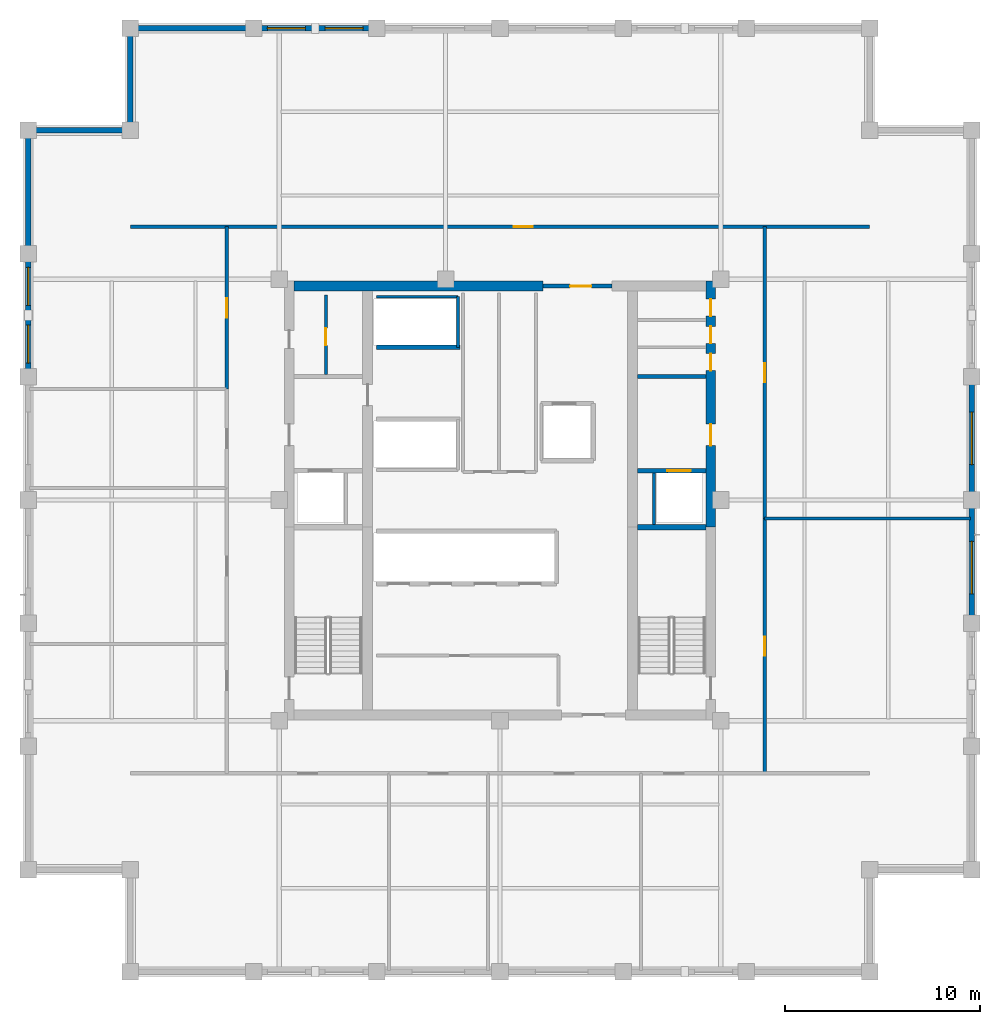
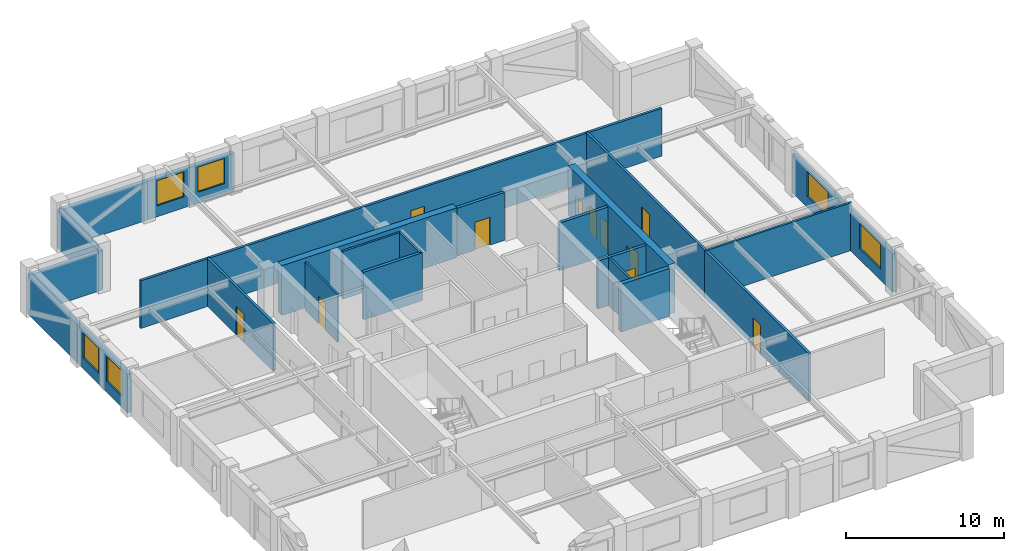
# One storey, part 7 of 9: 24 walls, 11 doors, 6 windows, 17 openings.
"""IFC4 building model written with IfcOpenShell, lengths in metres."""

from ifc_helpers import new_model, si_unit, direction, frame, frame_2d, origin, place, context, subcontext, project, spatial, rectangle, extrude, material, layer, layer_set, type_object, element, fill, save


model = new_model("IFC4")

# Units and contexts
model_context = context("Model", 3, precision=1e-05, world=origin(), true_north=direction((0.0, 1.0)))
body_context = subcontext(model_context, "Body", "Model", "MODEL_VIEW")
ifc_project = project(units=[si_unit("LENGTHUNIT", "METRE"), si_unit("AREAUNIT", "SQUARE_METRE"), si_unit("VOLUMEUNIT", "CUBIC_METRE"), si_unit("PLANEANGLEUNIT", "RADIAN"), si_unit("MASSUNIT", "GRAM", prefix="KILO")], contexts=[model_context])

# Site, building, storey
site_placement = place(None, origin())
site = spatial("IfcSite", under=ifc_project, at=site_placement, CompositionType="ELEMENT")
building_placement = place(site_placement, origin())
building = spatial("IfcBuilding", under=site, at=building_placement, Name="Nhamokura Convention Tower", CompositionType="ELEMENT")
storey_placement = place(building_placement, frame((0.0, 0.0, 229.25)))
storey = spatial("IfcBuildingStorey", under=building, at=storey_placement, Name="L56", CompositionType="ELEMENT", Elevation=229.25)

# Wall, opening, door
ifc_material_1 = material(Name="Moisture-resistant tile-backer partition", Category="masonry")
ifc_layer_1 = layer(ifc_material_1, 0.139892578125)
ifc_layer_set_1 = layer_set([ifc_layer_1], Name="BathroomWetWall_140")
wall_type_1 = type_object("IfcWallType", Name="BathroomWetWall_140", PredefinedType="STANDARD", material=ifc_layer_set_1)
wall_1_placement = place(storey_placement, frame((23.050048828125, 38.449951171875, 0.0), z_axis=(0.0, 0.0, 1.0), x_axis=(0.0, 1.0, 0.0)))
wall_1 = element("IfcWall", 1, at=wall_1_placement, inside=storey, type_object=wall_type_1, Name="L56 Wall INT-L56-CWNWV", PredefinedType="STANDARD", context=body_context, shape_type="SweptSolid", body=[
    extrude(rectangle(XDim=4.10009765625, YDim=0.139892578125, at=frame_2d((2.050048828125, 0.0))), origin(), (0.0, 0.0, 1.0), 3.68505859375),
])
opening_1_placement = place(wall_1_placement, frame((1.5, 0.0, 0.0)))
opening_1 = element("IfcOpeningElement", 2, at=opening_1_placement, cuts=wall_1, Name="Opening D-11", PredefinedType="OPENING", context=body_context, shape_type="SweptSolid", body=[
    extrude(rectangle(XDim=0.8798828125, YDim=2.10009765625, at=frame_2d((0.43994140625, 1.050048828125))), frame((0.0, 0.079833984375, 0.0), z_axis=(0.0, -1.0, 0.0), x_axis=(1.0, 0.0, 0.0)), (0.0, 0.0, 1.0), 0.159912109375),
])
ifc_material_2 = material(Name="Solid oak hardwood", Category="wood")
door_type_1 = type_object("IfcDoorType", Name="BathroomDoor_880", OperationType="NOTDEFINED", PredefinedType="DOOR", material=ifc_material_2)
door_1_placement = place(opening_1_placement, origin())
door_1 = element("IfcDoor", 3, at=door_1_placement, inside=storey, type_object=door_type_1, Name="L56 Inner Store Door", OperationType="SINGLE_SWING_LEFT", OverallHeight=2.10009765625, OverallWidth=0.8798828125, PredefinedType="DOOR", context=body_context, shape_type="SweptSolid", body=[
    extrude(rectangle(XDim=0.8798828125, YDim=2.10009765625, at=frame_2d((0.43994140625, 1.050048828125))), frame((0.0, 0.02490234375, 0.0), z_axis=(0.0, -1.0, 0.0), x_axis=(1.0, 0.0, 0.0)), (0.0, 0.0, 1.0), 0.050048828125),
])
fill(opening_1, door_1)

# Wall
ifc_material_3 = material(Name="Bronze-pigmented precast concrete C45/55", Category="concrete")
ifc_layer_2 = layer(ifc_material_3, 0.280029296875)
ifc_layer_set_2 = layer_set([ifc_layer_2], Name="BronzePrecastSpandrel_280")
wall_type_2 = type_object("IfcWallType", Name="BronzePrecastSpandrel_280", PredefinedType="USERDEFINED", material=ifc_layer_set_2)
wall_2_placement = place(storey_placement, frame((13.0, 56.25, 0.0), z_axis=(0.0, 0.0, 1.0), x_axis=(1.0, 0.0, 0.0)))
element("IfcWall", 4, at=wall_2_placement, inside=storey, type_object=wall_type_2, Name="L56 Braced-Bay Precast Wall NORTH 0", ObjectType="SPANDREL_WALL", PredefinedType="USERDEFINED", context=body_context, shape_type="SweptSolid", body=[
    extrude(rectangle(XDim=6.333251953125, YDim=0.280029296875, at=frame_2d((3.16650390625, 0.0))), origin(), (0.0, 0.0, 1.0), 2.985107421875),
])

# Wall, openings, windows
wall_3_placement = place(storey_placement, frame((19.333251953125, 56.25, 0.0), z_axis=(0.0, 0.0, 1.0), x_axis=(1.0, 0.0, 0.0)))
wall_3 = element("IfcWall", 5, at=wall_3_placement, inside=storey, type_object=wall_type_2, Name="L56 Masonry-Frame Wall NORTH 1", ObjectType="SPANDREL_WALL", PredefinedType="USERDEFINED", context=body_context, shape_type="SweptSolid", body=[
    extrude(rectangle(XDim=6.33349609375, YDim=0.280029296875, at=frame_2d((3.166748046875, 0.0))), origin(), (0.0, 0.0, 1.0), 2.985107421875),
])
opening_2_placement = place(wall_3_placement, frame((0.708251953125, 0.0, 0.85009765625)))
opening_2 = element("IfcOpeningElement", 6, at=opening_2_placement, cuts=wall_3, Name="Opening W-08", PredefinedType="OPENING", context=body_context, shape_type="SweptSolid", body=[
    extrude(rectangle(XDim=1.949951171875, YDim=1.93505859375, at=frame_2d((0.97509765625, 0.967529296875))), frame((0.0, 0.14990234375, 0.0), z_axis=(0.0, -1.0, 0.0), x_axis=(1.0, 0.0, 0.0)), (0.0, 0.0, 1.0), 0.300048828125),
])
opening_3_placement = place(wall_3_placement, frame((3.675048828125, 0.0, 0.85009765625)))
opening_3 = element("IfcOpeningElement", 7, at=opening_3_placement, cuts=wall_3, Name="Opening W-08", PredefinedType="OPENING", context=body_context, shape_type="SweptSolid", body=[
    extrude(rectangle(XDim=1.949951171875, YDim=1.93505859375, at=frame_2d((0.97509765625, 0.967529296875))), frame((0.0, 0.14990234375, 0.0), z_axis=(0.0, -1.0, 0.0), x_axis=(1.0, 0.0, 0.0)), (0.0, 0.0, 1.0), 0.300048828125),
])
ifc_material_4 = material(Name="Solar-control bronze low-E double glass", Category="glass")
window_type_1 = type_object("IfcWindowType", Name="OfficeModuleWindow_Z3_1950", PartitioningType="SINGLE_PANEL", PredefinedType="WINDOW", material=ifc_material_4)
window_1_placement = place(opening_2_placement, origin())
window_1 = element("IfcWindow", 8, at=window_1_placement, inside=storey, type_object=window_type_1, Name="L56 Facade Window NORTH 1-1", OverallHeight=1.93505859375, OverallWidth=1.949951171875, PartitioningType="SINGLE_PANEL", PredefinedType="WINDOW", context=body_context, shape_type="SweptSolid", body=[
    extrude(rectangle(XDim=1.949951171875, YDim=1.93505859375, at=frame_2d((0.97509765625, 0.967529296875))), frame((0.0, 0.030029296875, 0.0), z_axis=(0.0, -1.0, 0.0), x_axis=(1.0, 0.0, 0.0)), (0.0, 0.0, 1.0), 0.06005859375),
])
fill(opening_2, window_1)
window_2_placement = place(opening_3_placement, origin())
window_2 = element("IfcWindow", 9, at=window_2_placement, inside=storey, type_object=window_type_1, Name="L56 Facade Window NORTH 1-2", OverallHeight=1.93505859375, OverallWidth=1.949951171875, PartitioningType="SINGLE_PANEL", PredefinedType="WINDOW", context=body_context, shape_type="SweptSolid", body=[
    extrude(rectangle(XDim=1.949951171875, YDim=1.93505859375, at=frame_2d((0.97509765625, 0.967529296875))), frame((0.0, 0.030029296875, 0.0), z_axis=(0.0, -1.0, 0.0), x_axis=(1.0, 0.0, 0.0)), (0.0, 0.0, 1.0), 0.06005859375),
])
fill(opening_3, window_2)

wall_4_placement = place(storey_placement, frame((7.75, 38.333251953125, 0.0), z_axis=(0.0, 0.0, 1.0), x_axis=(0.0, 1.0, 0.0)))
wall_4 = element("IfcWall", 10, at=wall_4_placement, inside=storey, type_object=wall_type_2, Name="L56 Masonry-Frame Wall WEST 4", ObjectType="SPANDREL_WALL", PredefinedType="USERDEFINED", context=body_context, shape_type="SweptSolid", body=[
    extrude(rectangle(XDim=6.33349609375, YDim=0.280029296875, at=frame_2d((3.166748046875, 0.0))), origin(), (0.0, 0.0, 1.0), 2.985107421875),
])
opening_4_placement = place(wall_4_placement, frame((0.708251953125, 0.0, 0.85009765625)))
opening_4 = element("IfcOpeningElement", 11, at=opening_4_placement, cuts=wall_4, Name="Opening W-08", PredefinedType="OPENING", context=body_context, shape_type="SweptSolid", body=[
    extrude(rectangle(XDim=1.949951171875, YDim=1.93505859375, at=frame_2d((0.97509765625, 0.967529296875))), frame((0.0, 0.14990234375, 0.0), z_axis=(0.0, -1.0, 0.0), x_axis=(1.0, 0.0, 0.0)), (0.0, 0.0, 1.0), 0.300048828125),
])
opening_5_placement = place(wall_4_placement, frame((3.675048828125, 0.0, 0.85009765625)))
opening_5 = element("IfcOpeningElement", 12, at=opening_5_placement, cuts=wall_4, Name="Opening W-08", PredefinedType="OPENING", context=body_context, shape_type="SweptSolid", body=[
    extrude(rectangle(XDim=1.949951171875, YDim=1.93505859375, at=frame_2d((0.97509765625, 0.967529296875))), frame((0.0, 0.14990234375, 0.0), z_axis=(0.0, -1.0, 0.0), x_axis=(1.0, 0.0, 0.0)), (0.0, 0.0, 1.0), 0.300048828125),
])
window_3_placement = place(opening_4_placement, origin())
window_3 = element("IfcWindow", 13, at=window_3_placement, inside=storey, type_object=window_type_1, Name="L56 Facade Window WEST 4-1", OverallHeight=1.93505859375, OverallWidth=1.949951171875, PartitioningType="SINGLE_PANEL", PredefinedType="WINDOW", context=body_context, shape_type="SweptSolid", body=[
    extrude(rectangle(XDim=1.949951171875, YDim=1.93505859375, at=frame_2d((0.97509765625, 0.967529296875))), frame((0.0, 0.030029296875, 0.0), z_axis=(0.0, -1.0, 0.0), x_axis=(1.0, 0.0, 0.0)), (0.0, 0.0, 1.0), 0.06005859375),
])
fill(opening_4, window_3)
window_4_placement = place(opening_5_placement, origin())
window_4 = element("IfcWindow", 14, at=window_4_placement, inside=storey, type_object=window_type_1, Name="L56 Facade Window WEST 4-2", OverallHeight=1.93505859375, OverallWidth=1.949951171875, PartitioningType="SINGLE_PANEL", PredefinedType="WINDOW", context=body_context, shape_type="SweptSolid", body=[
    extrude(rectangle(XDim=1.949951171875, YDim=1.93505859375, at=frame_2d((0.97509765625, 0.967529296875))), frame((0.0, 0.030029296875, 0.0), z_axis=(0.0, -1.0, 0.0), x_axis=(1.0, 0.0, 0.0)), (0.0, 0.0, 1.0), 0.06005859375),
])
fill(opening_5, window_4)

# Wall
wall_5_placement = place(storey_placement, frame((7.75, 44.666748046875, 0.0), z_axis=(0.0, 0.0, 1.0), x_axis=(0.0, 1.0, 0.0)))
element("IfcWall", 15, at=wall_5_placement, inside=storey, type_object=wall_type_2, Name="L56 Braced-Bay Precast Wall WEST 5", ObjectType="SPANDREL_WALL", PredefinedType="USERDEFINED", context=body_context, shape_type="SweptSolid", body=[
    extrude(rectangle(XDim=6.333251953125, YDim=0.280029296875, at=frame_2d((3.16650390625, 0.0))), origin(), (0.0, 0.0, 1.0), 2.985107421875),
])

# Wall, opening, window
wall_6_placement = place(storey_placement, frame((56.25, 32.0, 0.0), z_axis=(0.0, 0.0, 1.0), x_axis=(0.0, -1.0, 0.0)))
wall_6 = element("IfcWall", 16, at=wall_6_placement, inside=storey, type_object=wall_type_2, Name="L56 Masonry-Frame Wall EAST 2", ObjectType="SPANDREL_WALL", PredefinedType="USERDEFINED", context=body_context, shape_type="SweptSolid", body=[
    extrude(rectangle(XDim=6.333251953125, YDim=0.280029296875, at=frame_2d((3.16650390625, 0.0))), origin(), (0.0, 0.0, 1.0), 2.985107421875),
])
opening_6_placement = place(wall_6_placement, frame((2.129150390625, 0.0, 0.85009765625)))
opening_6 = element("IfcOpeningElement", 17, at=opening_6_placement, cuts=wall_6, Name="Opening W-07", PredefinedType="OPENING", context=body_context, shape_type="SweptSolid", body=[
    extrude(rectangle(XDim=2.699951171875, YDim=1.93505859375, at=frame_2d((1.35009765625, 0.967529296875))), frame((0.0, 0.14990234375, 0.0), z_axis=(0.0, -1.0, 0.0), x_axis=(1.0, 0.0, 0.0)), (0.0, 0.0, 1.0), 0.300048828125),
])
ifc_material_5 = material(Name="Solar-control bronze low-E double glass", Category="glass")
window_type_2 = type_object("IfcWindowType", Name="OfficeModuleWindow_Z3_2700", PartitioningType="DOUBLE_PANEL_VERTICAL", PredefinedType="WINDOW", material=ifc_material_5)
window_5_placement = place(opening_6_placement, origin())
window_5 = element("IfcWindow", 18, at=window_5_placement, inside=storey, type_object=window_type_2, Name="L56 Facade Window EAST 2", OverallHeight=1.93505859375, OverallWidth=2.699951171875, PartitioningType="SINGLE_PANEL", PredefinedType="WINDOW", context=body_context, shape_type="SweptSolid", body=[
    extrude(rectangle(XDim=2.699951171875, YDim=1.93505859375, at=frame_2d((1.35009765625, 0.967529296875))), frame((0.0, 0.030029296875, 0.0), z_axis=(0.0, -1.0, 0.0), x_axis=(1.0, 0.0, 0.0)), (0.0, 0.0, 1.0), 0.06005859375),
])
fill(opening_6, window_5)

wall_7_placement = place(storey_placement, frame((56.25, 38.333251953125, 0.0), z_axis=(0.0, 0.0, 1.0), x_axis=(0.0, -1.0, 0.0)))
wall_7 = element("IfcWall", 19, at=wall_7_placement, inside=storey, type_object=wall_type_2, Name="L56 Masonry-Frame Wall EAST 3", ObjectType="SPANDREL_WALL", PredefinedType="USERDEFINED", context=body_context, shape_type="SweptSolid", body=[
    extrude(rectangle(XDim=6.333251953125, YDim=0.280029296875, at=frame_2d((3.16650390625, 0.0))), origin(), (0.0, 0.0, 1.0), 2.985107421875),
])
opening_7_placement = place(wall_7_placement, frame((1.816650390625, 0.0, 0.85009765625)))
opening_7 = element("IfcOpeningElement", 20, at=opening_7_placement, cuts=wall_7, Name="Opening W-07", PredefinedType="OPENING", context=body_context, shape_type="SweptSolid", body=[
    extrude(rectangle(XDim=2.699951171875, YDim=1.93505859375, at=frame_2d((1.35009765625, 0.967529296875))), frame((0.0, 0.14990234375, 0.0), z_axis=(0.0, -1.0, 0.0), x_axis=(1.0, 0.0, 0.0)), (0.0, 0.0, 1.0), 0.300048828125),
])
window_6_placement = place(opening_7_placement, origin())
window_6 = element("IfcWindow", 21, at=window_6_placement, inside=storey, type_object=window_type_2, Name="L56 Facade Window EAST 3", OverallHeight=1.93505859375, OverallWidth=2.699951171875, PartitioningType="SINGLE_PANEL", PredefinedType="WINDOW", context=body_context, shape_type="SweptSolid", body=[
    extrude(rectangle(XDim=2.699951171875, YDim=1.93505859375, at=frame_2d((1.35009765625, 0.967529296875))), frame((0.0, 0.030029296875, 0.0), z_axis=(0.0, -1.0, 0.0), x_axis=(1.0, 0.0, 0.0)), (0.0, 0.0, 1.0), 0.06005859375),
])
fill(opening_7, window_6)

# Walls
for number, where, z_axis, x_axis, name in (
    (22, (13.0, 51.0, 0.0), (0.0, 0.0, 1.0), (0.0, 1.0, 0.0), "L56 Notched Corner Wall NW1"),
    (23, (7.75, 51.0, 0.0), (0.0, 0.0, 1.0), (1.0, 0.0, 0.0), "L56 Notched Corner Wall NW2"),
):
    element("IfcWall", number, at=place(storey_placement, frame(where, z_axis=z_axis, x_axis=x_axis)), inside=storey, type_object=wall_type_2, Name=name, ObjectType="SPANDREL_WALL", PredefinedType="USERDEFINED", context=body_context, shape_type="SweptSolid", body=[
        extrude(rectangle(XDim=5.25, YDim=0.280029296875, at=frame_2d((2.625, 0.0))), origin(), (0.0, 0.0, 1.0), 2.985107421875),
    ])

# Wall, openings, doors
ifc_material_6 = material(Name="Concrete C60/75", Category="concrete")
ifc_layer_3 = layer(ifc_material_6, 0.5)
ifc_layer_set_3 = layer_set([ifc_layer_3], Name="CoreShearWall_500")
wall_type_3 = type_object("IfcWallType", Name="CoreShearWall_500", PredefinedType="SHEAR", material=ifc_layer_set_3)
wall_8_placement = place(storey_placement, frame((42.840087890625, 30.60009765625, 0.0), z_axis=(0.0, 0.0, 1.0), x_axis=(0.0, 1.0, 0.0)))
wall_8 = element("IfcWall", 24, at=wall_8_placement, inside=storey, type_object=wall_type_3, Name="L56 Core Shear Wall CW-EN", PredefinedType="SHEAR", context=body_context, shape_type="SweptSolid", body=[
    extrude(rectangle(XDim=12.64990234375, YDim=0.5, at=frame_2d((6.324951171875, 0.0))), origin(), (0.0, 0.0, 1.0), 3.85009765625),
])
opening_8_placement = place(wall_8_placement, frame((4.199951171875, 0.0, 0.0)))
opening_8 = element("IfcOpeningElement", 25, at=opening_8_placement, cuts=wall_8, Name="Opening D-05", PredefinedType="OPENING", context=body_context, shape_type="SweptSolid", body=[
    extrude(rectangle(XDim=1.10009765625, YDim=2.14990234375, at=frame_2d((0.550048828125, 1.074951171875))), frame((0.0, 0.260009765625, 0.0), z_axis=(0.0, -1.0, 0.0), x_axis=(1.0, 0.0, 0.0)), (0.0, 0.0, 1.0), 0.52001953125),
])
opening_9_placement = place(wall_8_placement, frame((8.050048828125, 0.0, 0.0)))
opening_9 = element("IfcOpeningElement", 26, at=opening_9_placement, cuts=wall_8, Name="Opening D-11", PredefinedType="OPENING", context=body_context, shape_type="SweptSolid", body=[
    extrude(rectangle(XDim=0.8798828125, YDim=2.10009765625, at=frame_2d((0.43994140625, 1.050048828125))), frame((0.0, 0.260009765625, 0.0), z_axis=(0.0, -1.0, 0.0), x_axis=(1.0, 0.0, 0.0)), (0.0, 0.0, 1.0), 0.52001953125),
])
opening_10_placement = place(wall_8_placement, frame((9.449951171875, 0.0, 0.0)))
opening_10 = element("IfcOpeningElement", 27, at=opening_10_placement, cuts=wall_8, Name="Opening D-11", PredefinedType="OPENING", context=body_context, shape_type="SweptSolid", body=[
    extrude(rectangle(XDim=0.8798828125, YDim=2.10009765625, at=frame_2d((0.43994140625, 1.050048828125))), frame((0.0, 0.260009765625, 0.0), z_axis=(0.0, -1.0, 0.0), x_axis=(1.0, 0.0, 0.0)), (0.0, 0.0, 1.0), 0.52001953125),
])
opening_11_placement = place(wall_8_placement, frame((10.85009765625, 0.0, 0.0)))
opening_11 = element("IfcOpeningElement", 28, at=opening_11_placement, cuts=wall_8, Name="Opening D-11", PredefinedType="OPENING", context=body_context, shape_type="SweptSolid", body=[
    extrude(rectangle(XDim=0.8798828125, YDim=2.10009765625, at=frame_2d((0.43994140625, 1.050048828125))), frame((0.0, 0.260009765625, 0.0), z_axis=(0.0, -1.0, 0.0), x_axis=(1.0, 0.0, 0.0)), (0.0, 0.0, 1.0), 0.52001953125),
])
door_2_placement = place(opening_9_placement, origin())
door_2 = element("IfcDoor", 29, at=door_2_placement, inside=storey, type_object=door_type_1, Name="L56 Core Door INT-L56-D-MWC", OperationType="SINGLE_SWING_LEFT", OverallHeight=2.10009765625, OverallWidth=0.8798828125, PredefinedType="DOOR", context=body_context, shape_type="SweptSolid", body=[
    extrude(rectangle(XDim=0.8798828125, YDim=2.10009765625, at=frame_2d((0.43994140625, 1.050048828125))), frame((0.0, 0.02490234375, 0.0), z_axis=(0.0, -1.0, 0.0), x_axis=(1.0, 0.0, 0.0)), (0.0, 0.0, 1.0), 0.050048828125),
])
fill(opening_9, door_2)
door_3_placement = place(opening_10_placement, origin())
door_3 = element("IfcDoor", 30, at=door_3_placement, inside=storey, type_object=door_type_1, Name="L56 Core Door INT-L56-D-FWC", OperationType="SINGLE_SWING_RIGHT", OverallHeight=2.10009765625, OverallWidth=0.8798828125, PredefinedType="DOOR", context=body_context, shape_type="SweptSolid", body=[
    extrude(rectangle(XDim=0.8798828125, YDim=2.10009765625, at=frame_2d((0.43994140625, 1.050048828125))), frame((0.0, 0.02490234375, 0.0), z_axis=(0.0, -1.0, 0.0), x_axis=(1.0, 0.0, 0.0)), (0.0, 0.0, 1.0), 0.050048828125),
])
fill(opening_10, door_3)
door_4_placement = place(opening_11_placement, origin())
door_4 = element("IfcDoor", 31, at=door_4_placement, inside=storey, type_object=door_type_1, Name="L56 Core Door INT-L56-D-ARC", OperationType="SINGLE_SWING_LEFT", OverallHeight=2.10009765625, OverallWidth=0.8798828125, PredefinedType="DOOR", context=body_context, shape_type="SweptSolid", body=[
    extrude(rectangle(XDim=0.8798828125, YDim=2.10009765625, at=frame_2d((0.43994140625, 1.050048828125))), frame((0.0, 0.02490234375, 0.0), z_axis=(0.0, -1.0, 0.0), x_axis=(1.0, 0.0, 0.0)), (0.0, 0.0, 1.0), 0.050048828125),
])
fill(opening_11, door_4)
ifc_material_7 = material(Name="Fire-rated steel door", Category="steel")
door_type_2 = type_object("IfcDoorType", Name="FireLobbyDoor_1100", OperationType="NOTDEFINED", PredefinedType="DOOR", material=ifc_material_7)
door_5_placement = place(opening_8_placement, origin())
door_5 = element("IfcDoor", 32, at=door_5_placement, inside=storey, type_object=door_type_2, Name="L56 Core Door INT-L56-D-FFLE", OperationType="SINGLE_SWING_LEFT", OverallHeight=2.14990234375, OverallWidth=1.10009765625, PredefinedType="DOOR", context=body_context, shape_type="SweptSolid", body=[
    extrude(rectangle(XDim=1.10009765625, YDim=2.14990234375, at=frame_2d((0.550048828125, 1.074951171875))), frame((0.0, 0.02490234375, 0.0), z_axis=(0.0, -1.0, 0.0), x_axis=(1.0, 0.0, 0.0)), (0.0, 0.0, 1.0), 0.050048828125),
])
fill(opening_8, door_5)

# Wall
wall_9_placement = place(storey_placement, frame((21.409912109375, 43.0, 0.0), z_axis=(0.0, 0.0, 1.0), x_axis=(1.0, 0.0, 0.0)))
element("IfcWall", 33, at=wall_9_placement, inside=storey, type_object=wall_type_3, Name="L56 Core Shear Wall CW-N1", PredefinedType="SHEAR", context=body_context, shape_type="SweptSolid", body=[
    extrude(rectangle(XDim=12.7900390625, YDim=0.5, at=frame_2d((6.39501953125, 0.0))), origin(), (0.0, 0.0, 1.0), 3.85009765625),
])

# Wall, opening, door
ifc_material_8 = material(Name="Fire-rated gypsum and masonry partition", Category="masonry")
ifc_layer_4 = layer(ifc_material_8, 0.179931640625)
ifc_layer_set_4 = layer_set([ifc_layer_4], Name="CorridorRatedWall_180")
wall_type_4 = type_object("IfcWallType", Name="CorridorRatedWall_180", PredefinedType="STANDARD", material=ifc_layer_set_4)
wall_10_placement = place(storey_placement, frame((13.0, 46.050048828125, 0.0), z_axis=(0.0, 0.0, 1.0), x_axis=(1.0, 0.0, 0.0)))
wall_10 = element("IfcWall", 34, at=wall_10_placement, inside=storey, type_object=wall_type_4, Name="L56 Wall INT-L56-CW-N00", PredefinedType="STANDARD", context=body_context, shape_type="SweptSolid", body=[
    extrude(rectangle(XDim=38.0, YDim=0.179931640625, at=frame_2d((19.0, 0.0))), origin(), (0.0, 0.0, 1.0), 3.68505859375),
])
opening_12_placement = place(wall_10_placement, frame((19.699951171875, 0.0, 0.0)))
opening_12 = element("IfcOpeningElement", 35, at=opening_12_placement, cuts=wall_10, Name="Opening D-08", PredefinedType="OPENING", context=body_context, shape_type="SweptSolid", body=[
    extrude(rectangle(XDim=0.97998046875, YDim=2.199951171875, at=frame_2d((0.489990234375, 1.10009765625))), frame((0.0, 0.099853515625, 0.0), z_axis=(0.0, -1.0, 0.0), x_axis=(1.0, 0.0, 0.0)), (0.0, 0.0, 1.0), 0.199951171875),
])
ifc_material_9 = material(Name="Solid oak hardwood", Category="wood")
door_type_3 = type_object("IfcDoorType", Name="OfficeEntryDoor_980", OperationType="NOTDEFINED", PredefinedType="DOOR", material=ifc_material_9)
door_6_placement = place(opening_12_placement, origin())
door_6 = element("IfcDoor", 36, at=door_6_placement, inside=storey, type_object=door_type_3, Name="L56 Boardroom N01 Door", OperationType="SINGLE_SWING_LEFT", OverallHeight=2.199951171875, OverallWidth=0.97998046875, PredefinedType="DOOR", context=body_context, shape_type="SweptSolid", body=[
    extrude(rectangle(XDim=0.97998046875, YDim=2.199951171875, at=frame_2d((0.489990234375, 1.10009765625))), frame((0.0, 0.02490234375, 0.0), z_axis=(0.0, -1.0, 0.0), x_axis=(1.0, 0.0, 0.0)), (0.0, 0.0, 1.0), 0.050048828125),
])
fill(opening_12, door_6)

wall_11_placement = place(storey_placement, frame((17.949951171875, 37.708251953125, 0.0), z_axis=(0.0, 0.0, 1.0), x_axis=(0.0, 1.0, 0.0)))
wall_11 = element("IfcWall", 37, at=wall_11_placement, inside=storey, type_object=wall_type_4, Name="L56 Wall INT-L56-CW-W03", PredefinedType="STANDARD", context=body_context, shape_type="SweptSolid", body=[
    extrude(rectangle(XDim=8.341796875, YDim=0.179931640625, at=frame_2d((4.1708984375, 0.0))), origin(), (0.0, 0.0, 1.0), 3.68505859375),
])
opening_13_placement = place(wall_11_placement, frame((3.6708984375, 0.0, 0.0)))
opening_13 = element("IfcOpeningElement", 38, at=opening_13_placement, cuts=wall_11, Name="Opening D-08", PredefinedType="OPENING", context=body_context, shape_type="SweptSolid", body=[
    extrude(rectangle(XDim=0.97998046875, YDim=2.199951171875, at=frame_2d((0.489990234375, 1.10009765625))), frame((0.0, 0.099853515625, 0.0), z_axis=(0.0, -1.0, 0.0), x_axis=(1.0, 0.0, 0.0)), (0.0, 0.0, 1.0), 0.199951171875),
])
door_7_placement = place(opening_13_placement, origin())
door_7 = element("IfcDoor", 39, at=door_7_placement, inside=storey, type_object=door_type_3, Name="L56 Kitchen W04 Door", OperationType="SINGLE_SWING_RIGHT", OverallHeight=2.199951171875, OverallWidth=0.97998046875, PredefinedType="DOOR", context=body_context, shape_type="SweptSolid", body=[
    extrude(rectangle(XDim=0.97998046875, YDim=2.199951171875, at=frame_2d((0.489990234375, 1.10009765625))), frame((0.0, 0.02490234375, 0.0), z_axis=(0.0, -1.0, 0.0), x_axis=(1.0, 0.0, 0.0)), (0.0, 0.0, 1.0), 0.050048828125),
])
fill(opening_13, door_7)

wall_12_placement = place(storey_placement, frame((45.60009765625, 17.949951171875, 0.0), z_axis=(0.0, 0.0, 1.0), x_axis=(0.0, 1.0, 0.0)))
wall_12 = element("IfcWall", 40, at=wall_12_placement, inside=storey, type_object=wall_type_4, Name="L56 Wall INT-L56-CW-E00", PredefinedType="STANDARD", context=body_context, shape_type="SweptSolid", body=[
    extrude(rectangle(XDim=13.10009765625, YDim=0.179931640625, at=frame_2d((6.550048828125, 0.0))), origin(), (0.0, 0.0, 1.0), 3.68505859375),
])
opening_14_placement = place(wall_12_placement, frame((6.050048828125, 0.0, 0.0)))
opening_14 = element("IfcOpeningElement", 41, at=opening_14_placement, cuts=wall_12, Name="Opening D-08", PredefinedType="OPENING", context=body_context, shape_type="SweptSolid", body=[
    extrude(rectangle(XDim=0.97998046875, YDim=2.199951171875, at=frame_2d((0.489990234375, 1.10009765625))), frame((0.0, 0.099853515625, 0.0), z_axis=(0.0, -1.0, 0.0), x_axis=(1.0, 0.0, 0.0)), (0.0, 0.0, 1.0), 0.199951171875),
])
door_8_placement = place(opening_14_placement, origin())
door_8 = element("IfcDoor", 42, at=door_8_placement, inside=storey, type_object=door_type_3, Name="L56 Executive Lounge E01 Door", OperationType="SINGLE_SWING_LEFT", OverallHeight=2.199951171875, OverallWidth=0.97998046875, PredefinedType="DOOR", context=body_context, shape_type="SweptSolid", body=[
    extrude(rectangle(XDim=0.97998046875, YDim=2.199951171875, at=frame_2d((0.489990234375, 1.10009765625))), frame((0.0, 0.02490234375, 0.0), z_axis=(0.0, -1.0, 0.0), x_axis=(1.0, 0.0, 0.0)), (0.0, 0.0, 1.0), 0.050048828125),
])
fill(opening_14, door_8)

wall_13_placement = place(storey_placement, frame((45.60009765625, 31.050048828125, 0.0), z_axis=(0.0, 0.0, 1.0), x_axis=(0.0, 1.0, 0.0)))
wall_13 = element("IfcWall", 43, at=wall_13_placement, inside=storey, type_object=wall_type_4, Name="L56 Wall INT-L56-CW-E01", PredefinedType="STANDARD", context=body_context, shape_type="SweptSolid", body=[
    extrude(rectangle(XDim=15.0, YDim=0.179931640625, at=frame_2d((7.5, 0.0))), origin(), (0.0, 0.0, 1.0), 3.68505859375),
])
opening_15_placement = place(wall_13_placement, frame((7.0, 0.0, 0.0)))
opening_15 = element("IfcOpeningElement", 44, at=opening_15_placement, cuts=wall_13, Name="Opening D-08", PredefinedType="OPENING", context=body_context, shape_type="SweptSolid", body=[
    extrude(rectangle(XDim=0.97998046875, YDim=2.199951171875, at=frame_2d((0.489990234375, 1.10009765625))), frame((0.0, 0.099853515625, 0.0), z_axis=(0.0, -1.0, 0.0), x_axis=(1.0, 0.0, 0.0)), (0.0, 0.0, 1.0), 0.199951171875),
])
door_9_placement = place(opening_15_placement, origin())
door_9 = element("IfcDoor", 45, at=door_9_placement, inside=storey, type_object=door_type_3, Name="L56 Collaboration Lounge E02 Door", OperationType="SINGLE_SWING_RIGHT", OverallHeight=2.199951171875, OverallWidth=0.97998046875, PredefinedType="DOOR", context=body_context, shape_type="SweptSolid", body=[
    extrude(rectangle(XDim=0.97998046875, YDim=2.199951171875, at=frame_2d((0.489990234375, 1.10009765625))), frame((0.0, 0.02490234375, 0.0), z_axis=(0.0, -1.0, 0.0), x_axis=(1.0, 0.0, 0.0)), (0.0, 0.0, 1.0), 0.050048828125),
])
fill(opening_15, door_9)

ifc_material_10 = material(Name="Autoclaved concrete blockwork", Category="masonry")
ifc_layer_5 = layer(ifc_material_10, 0.219970703125)
ifc_layer_set_5 = layer_set([ifc_layer_5], Name="FireLobbyWall_220")
wall_type_5 = type_object("IfcWallType", Name="FireLobbyWall_220", PredefinedType="STANDARD", material=ifc_layer_set_5)
wall_14_placement = place(storey_placement, frame((39.06005859375, 33.5, 0.0), z_axis=(0.0, 0.0, 1.0), x_axis=(1.0, 0.0, 0.0)))
wall_14 = element("IfcWall", 46, at=wall_14_placement, inside=storey, type_object=wall_type_5, Name="L56 Wall INT-L56-FFE-S", PredefinedType="STANDARD", context=body_context, shape_type="SweptSolid", body=[
    extrude(rectangle(XDim=3.530029296875, YDim=0.219970703125, at=frame_2d((1.76513671875, 0.0))), origin(), (0.0, 0.0, 1.0), 3.68505859375),
])
opening_16_placement = place(wall_14_placement, frame((1.550048828125, 0.0, 0.0)))
opening_16 = element("IfcOpeningElement", 47, at=opening_16_placement, cuts=wall_14, Name="Opening LD-02", PredefinedType="OPENING", context=body_context, shape_type="SweptSolid", body=[
    extrude(rectangle(XDim=1.199951171875, YDim=2.199951171875, at=frame_2d((0.60009765625, 1.10009765625))), frame((0.0, 0.119873046875, 0.0), z_axis=(0.0, -1.0, 0.0), x_axis=(1.0, 0.0, 0.0)), (0.0, 0.0, 1.0), 0.239990234375),
])
ifc_material_11 = material(Name="Anodised bronze stainless steel", Category="steel")
door_type_4 = type_object("IfcDoorType", Name="LiftLandingDoor_FireService", OperationType="DOUBLE_DOOR_SLIDING", PredefinedType="DOOR", material=ifc_material_11)
door_10_placement = place(opening_16_placement, origin())
door_10 = element("IfcDoor", 48, at=door_10_placement, inside=storey, type_object=door_type_4, Name="L56 Firefighting Lift LF-02 Door", OperationType="DOUBLE_DOOR_SLIDING", OverallHeight=2.199951171875, OverallWidth=1.199951171875, PredefinedType="DOOR", context=body_context, shape_type="SweptSolid", body=[
    extrude(rectangle(XDim=1.199951171875, YDim=2.199951171875, at=frame_2d((0.60009765625, 1.10009765625))), frame((0.0, 0.02490234375, 0.0), z_axis=(0.0, -1.0, 0.0), x_axis=(1.0, 0.0, 0.0)), (0.0, 0.0, 1.0), 0.050048828125),
])
fill(opening_16, door_10)

# Walls
wall_15_placement = place(storey_placement, frame((39.06005859375, 38.35009765625, 0.0), z_axis=(0.0, 0.0, 1.0), x_axis=(1.0, 0.0, 0.0)))
element("IfcWall", 49, at=wall_15_placement, inside=storey, type_object=wall_type_5, Name="L56 Wall INT-L56-FFE-N", PredefinedType="STANDARD", context=body_context, shape_type="SweptSolid", body=[
    extrude(rectangle(XDim=3.530029296875, YDim=0.219970703125, at=frame_2d((1.76513671875, 0.0))), origin(), (0.0, 0.0, 1.0), 3.68505859375),
])
wall_16_placement = place(storey_placement, frame((25.64990234375, 39.85009765625, 0.0), z_axis=(0.0, 0.0, 1.0), x_axis=(1.0, 0.0, 0.0)))
element("IfcWall", 50, at=wall_16_placement, inside=storey, type_object=wall_type_5, Name="L56 Wall INT-L56-B3N", PredefinedType="STANDARD", context=body_context, shape_type="SweptSolid", body=[
    extrude(rectangle(XDim=4.300048828125, YDim=0.219970703125, at=frame_2d((2.14990234375, 0.0))), origin(), (0.0, 0.0, 1.0), 3.68505859375),
])

# Wall, opening, door
wall_17_placement = place(storey_placement, frame((34.199951171875, 43.0, 0.0), z_axis=(0.0, 0.0, 1.0), x_axis=(1.0, 0.0, 0.0)))
wall_17 = element("IfcWall", 51, at=wall_17_placement, inside=storey, type_object=wall_type_5, Name="L56 Wall INT-L56-CPORT-N", PredefinedType="STANDARD", context=body_context, shape_type="SweptSolid", body=[
    extrude(rectangle(XDim=3.550048828125, YDim=0.219970703125, at=frame_2d((1.77490234375, 0.0))), origin(), (0.0, 0.0, 1.0), 3.68505859375),
])
opening_17_placement = place(wall_17_placement, frame((1.39990234375, 0.0, 0.0)))
opening_17 = element("IfcOpeningElement", 52, at=opening_17_placement, cuts=wall_17, Name="Opening D-05", PredefinedType="OPENING", context=body_context, shape_type="SweptSolid", body=[
    extrude(rectangle(XDim=1.10009765625, YDim=2.14990234375, at=frame_2d((0.550048828125, 1.074951171875))), frame((0.0, 0.119873046875, 0.0), z_axis=(0.0, -1.0, 0.0), x_axis=(1.0, 0.0, 0.0)), (0.0, 0.0, 1.0), 0.239990234375),
])
door_11_placement = place(opening_17_placement, origin())
door_11 = element("IfcDoor", 53, at=door_11_placement, inside=storey, type_object=door_type_2, Name="L56 North Core Lobby Portal Door", OperationType="SINGLE_SWING_RIGHT", OverallHeight=2.14990234375, OverallWidth=1.10009765625, PredefinedType="DOOR", context=body_context, shape_type="SweptSolid", body=[
    extrude(rectangle(XDim=1.10009765625, YDim=2.14990234375, at=frame_2d((0.550048828125, 1.074951171875))), frame((0.0, 0.02490234375, 0.0), z_axis=(0.0, -1.0, 0.0), x_axis=(1.0, 0.0, 0.0)), (0.0, 0.0, 1.0), 0.050048828125),
])
fill(opening_17, door_11)

# Walls
ifc_material_12 = material(Name="Acoustic gypsum stud partition", Category="masonry")
ifc_layer_6 = layer(ifc_material_12, 0.14990234375)
ifc_layer_set_6 = layer_set([ifc_layer_6], Name="InteriorPartition_150")
wall_type_6 = type_object("IfcWallType", Name="InteriorPartition_150", PredefinedType="STANDARD", material=ifc_layer_set_6)
wall_18_placement = place(storey_placement, frame((39.919921875, 30.75, 0.0), z_axis=(0.0, 0.0, 1.0), x_axis=(0.0, 1.0, 0.0)))
element("IfcWall", 54, at=wall_18_placement, inside=storey, type_object=wall_type_6, Name="L56 Wall INT-L56-FF2-W", PredefinedType="STANDARD", context=body_context, shape_type="SweptSolid", body=[
    extrude(rectangle(XDim=2.64990234375, YDim=0.14990234375, at=frame_2d((1.324951171875, 0.0))), origin(), (0.0, 0.0, 1.0), 3.68505859375),
])
wall_19_placement = place(storey_placement, frame((25.64990234375, 42.449951171875, 0.0), z_axis=(0.0, 0.0, 1.0), x_axis=(1.0, 0.0, 0.0)))
element("IfcWall", 55, at=wall_19_placement, inside=storey, type_object=wall_type_6, Name="L56 Wall INT-L56-B3B-N", PredefinedType="STANDARD", context=body_context, shape_type="SweptSolid", body=[
    extrude(rectangle(XDim=4.2001953125, YDim=0.14990234375, at=frame_2d((2.10009765625, 0.0))), origin(), (0.0, 0.0, 1.0), 3.68505859375),
])
wall_20_placement = place(storey_placement, frame((29.85009765625, 39.85009765625, 0.0), z_axis=(0.0, 0.0, 1.0), x_axis=(0.0, 1.0, 0.0)))
element("IfcWall", 56, at=wall_20_placement, inside=storey, type_object=wall_type_6, Name="L56 Wall INT-L56-B3B-E", PredefinedType="STANDARD", context=body_context, shape_type="SweptSolid", body=[
    extrude(rectangle(XDim=2.599853515625, YDim=0.14990234375, at=frame_2d((1.2998046875, 0.0))), origin(), (0.0, 0.0, 1.0), 3.68505859375),
])
wall_21_placement = place(storey_placement, frame((45.60009765625, 31.050048828125, 0.0), z_axis=(0.0, 0.0, 1.0), x_axis=(1.0, 0.0, 0.0)))
element("IfcWall", 57, at=wall_21_placement, inside=storey, type_object=wall_type_6, Name="L56 Wall INT-L56-RW-E01", PredefinedType="STANDARD", context=body_context, shape_type="SweptSolid", body=[
    extrude(rectangle(XDim=10.58984375, YDim=0.14990234375, at=frame_2d((5.294921875, 0.0))), origin(), (0.0, 0.0, 1.0), 3.68505859375),
])
ifc_material_13 = material(Name="Concrete C50/60", Category="concrete")
ifc_layer_7 = layer(ifc_material_13, 0.300048828125)
ifc_layer_set_7 = layer_set([ifc_layer_7], Name="ShaftEnclosureWall_300")
wall_type_7 = type_object("IfcWallType", Name="ShaftEnclosureWall_300", PredefinedType="SHEAR", material=ifc_layer_set_7)
wall_22_placement = place(storey_placement, frame((39.06005859375, 30.60009765625, 0.0), z_axis=(0.0, 0.0, 1.0), x_axis=(1.0, 0.0, 0.0)))
element("IfcWall", 58, at=wall_22_placement, inside=storey, type_object=wall_type_7, Name="L56 Wall INT-L56-ST02-N", PredefinedType="SHEAR", context=body_context, shape_type="SweptSolid", body=[
    extrude(rectangle(XDim=3.530029296875, YDim=0.300048828125, at=frame_2d((1.76513671875, 0.0))), origin(), (0.0, 0.0, 1.0), 3.68505859375),
])

save(model, "model.ifc")
